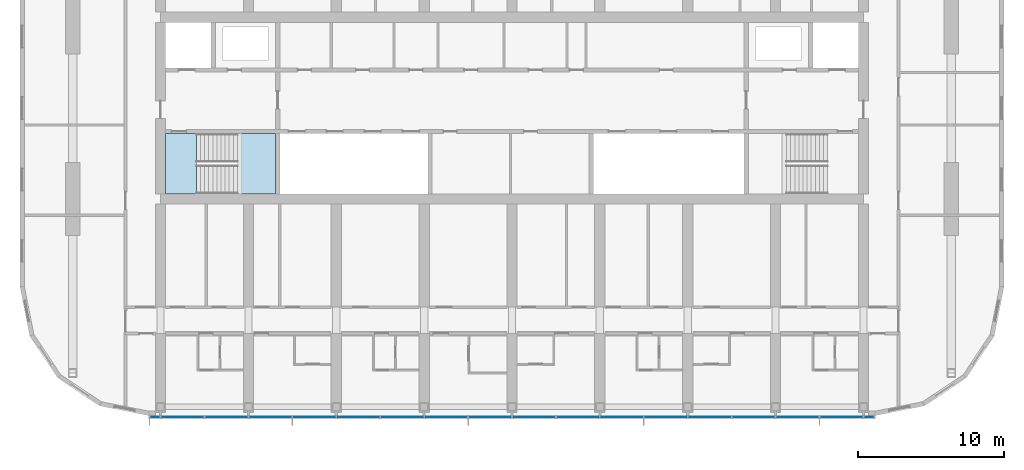
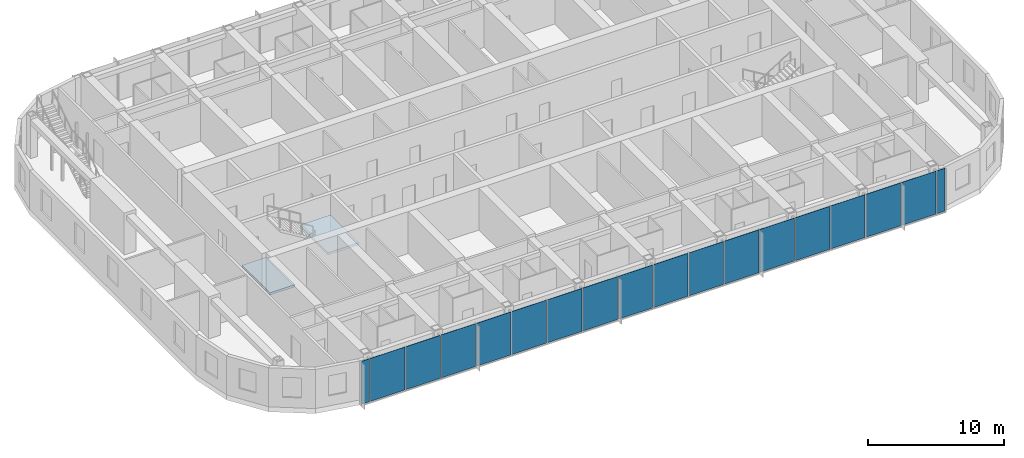
# One storey, part 9 of 26: 18 plates, 2 slabs, 2 elements without a shape of their own.
"""IFC4 building model written with IfcOpenShell, lengths in metres."""

from ifc_helpers import new_model, si_unit, direction, frame, origin, origin_2d, place, context, subcontext, project, spatial, polyline, rectangle, outline, extrude, material, layer, layer_set, type_object, element, aggregate, save


model = new_model("IFC4")

# Units and contexts
model_context = context("Model", 3, precision=1e-05, world=origin(), true_north=direction((0.0, 1.0)))
body_context = subcontext(model_context, "Body", "Model", "MODEL_VIEW")
ifc_project = project(units=[si_unit("LENGTHUNIT", "METRE"), si_unit("AREAUNIT", "SQUARE_METRE"), si_unit("VOLUMEUNIT", "CUBIC_METRE"), si_unit("PLANEANGLEUNIT", "RADIAN"), si_unit("MASSUNIT", "GRAM", prefix="KILO")], contexts=[model_context])

# Site, building, storey
site_placement = place(None, origin())
site = spatial("IfcSite", under=ifc_project, at=site_placement, CompositionType="ELEMENT")
building_placement = place(site_placement, origin())
building = spatial("IfcBuilding", under=site, at=building_placement, Name="Orbita Commons", CompositionType="ELEMENT")
storey_placement = place(building_placement, frame((0.0, 0.0, 231.550048828125)))
storey = spatial("IfcBuildingStorey", under=building, at=storey_placement, Name="L57", CompositionType="ELEMENT", Elevation=231.550048828125)

# Curtain wall, plates
ifc_material_1 = material(Name="Anodised aluminium frame, pale silver", Category="aluminium")
curtain_wall_type = type_object("IfcCurtainWallType", Name="Unitised curtain wall CW-U, full-height vision", PredefinedType="NOTDEFINED", material=ifc_material_1)
curtain_wall_placement = place(storey_placement, origin())
curtain_wall = element("IfcCurtainWall", 1, at=curtain_wall_placement, inside=storey, type_object=curtain_wall_type, Name="Curtain wall south L57", PredefinedType="NOTDEFINED")
ifc_material_2 = material(Name="Clear double glazing", Category="glass")
ifc_layer_1 = layer(ifc_material_2, 0.031982421875)
ifc_layer_set_1 = layer_set([ifc_layer_1], Name="Clear double glazing")
plate_type = type_object("IfcPlateType", Name="Full-height vision panel, clear glazing 32", PredefinedType="CURTAIN_PANEL", material=ifc_layer_set_1)
plate_1_placement = place(storey_placement, frame((17.6201171875, 10.889892578125, -0.35009765625), z_axis=(0.0, 0.0, 1.0), x_axis=(1.0, 0.0, 0.0)))
plate_1 = element("IfcPlate", 2, at=plate_1_placement, type_object=plate_type, Name="Panel 1.1 CW-L57-S", PredefinedType="CURTAIN_PANEL", context=body_context, shape_type="SweptSolid", body=[
    extrude(rectangle(XDim=0.679931640625, YDim=0.031982421875, at=origin_2d()), origin(), (0.0, 0.0, 1.0), 3.85009765625),
])
plate_2_placement = place(storey_placement, frame((19.5, 10.889892578125, -0.35009765625), z_axis=(0.0, 0.0, 1.0), x_axis=(1.0, 0.0, 0.0)))
plate_2 = element("IfcPlate", 3, at=plate_2_placement, type_object=plate_type, Name="Panel 2.1 CW-L57-S", PredefinedType="CURTAIN_PANEL", context=body_context, shape_type="SweptSolid", body=[
    extrude(rectangle(XDim=2.919921875, YDim=0.031982421875, at=origin_2d()), origin(), (0.0, 0.0, 1.0), 3.85009765625),
])
plate_3_placement = place(storey_placement, frame((22.5, 10.889892578125, -0.35009765625), z_axis=(0.0, 0.0, 1.0), x_axis=(1.0, 0.0, 0.0)))
plate_3 = element("IfcPlate", 4, at=plate_3_placement, type_object=plate_type, Name="Panel 3.1 CW-L57-S", PredefinedType="CURTAIN_PANEL", context=body_context, shape_type="SweptSolid", body=[
    extrude(rectangle(XDim=2.919921875, YDim=0.031982421875, at=origin_2d()), origin(), (0.0, 0.0, 1.0), 3.85009765625),
])
plate_4_placement = place(storey_placement, frame((25.5, 10.889892578125, -0.35009765625), z_axis=(0.0, 0.0, 1.0), x_axis=(1.0, 0.0, 0.0)))
plate_4 = element("IfcPlate", 5, at=plate_4_placement, type_object=plate_type, Name="Panel 4.1 CW-L57-S", PredefinedType="CURTAIN_PANEL", context=body_context, shape_type="SweptSolid", body=[
    extrude(rectangle(XDim=2.919921875, YDim=0.031982421875, at=origin_2d()), origin(), (0.0, 0.0, 1.0), 3.85009765625),
])
plate_5_placement = place(storey_placement, frame((28.5, 10.889892578125, -0.35009765625), z_axis=(0.0, 0.0, 1.0), x_axis=(1.0, 0.0, 0.0)))
plate_5 = element("IfcPlate", 6, at=plate_5_placement, type_object=plate_type, Name="Panel 5.1 CW-L57-S", PredefinedType="CURTAIN_PANEL", context=body_context, shape_type="SweptSolid", body=[
    extrude(rectangle(XDim=2.919921875, YDim=0.031982421875, at=origin_2d()), origin(), (0.0, 0.0, 1.0), 3.85009765625),
])
plate_6_placement = place(storey_placement, frame((31.5, 10.889892578125, -0.35009765625), z_axis=(0.0, 0.0, 1.0), x_axis=(1.0, 0.0, 0.0)))
plate_6 = element("IfcPlate", 7, at=plate_6_placement, type_object=plate_type, Name="Panel 6.1 CW-L57-S", PredefinedType="CURTAIN_PANEL", context=body_context, shape_type="SweptSolid", body=[
    extrude(rectangle(XDim=2.919921875, YDim=0.031982421875, at=origin_2d()), origin(), (0.0, 0.0, 1.0), 3.85009765625),
])
plate_7_placement = place(storey_placement, frame((34.5, 10.889892578125, -0.35009765625), z_axis=(0.0, 0.0, 1.0), x_axis=(1.0, 0.0, 0.0)))
plate_7 = element("IfcPlate", 8, at=plate_7_placement, type_object=plate_type, Name="Panel 7.1 CW-L57-S", PredefinedType="CURTAIN_PANEL", context=body_context, shape_type="SweptSolid", body=[
    extrude(rectangle(XDim=2.919921875, YDim=0.031982421875, at=origin_2d()), origin(), (0.0, 0.0, 1.0), 3.85009765625),
])
plate_8_placement = place(storey_placement, frame((37.5, 10.889892578125, -0.35009765625), z_axis=(0.0, 0.0, 1.0), x_axis=(1.0, 0.0, 0.0)))
plate_8 = element("IfcPlate", 9, at=plate_8_placement, type_object=plate_type, Name="Panel 8.1 CW-L57-S", PredefinedType="CURTAIN_PANEL", context=body_context, shape_type="SweptSolid", body=[
    extrude(rectangle(XDim=2.919921875, YDim=0.031982421875, at=origin_2d()), origin(), (0.0, 0.0, 1.0), 3.85009765625),
])
plate_9_placement = place(storey_placement, frame((40.5, 10.889892578125, -0.35009765625), z_axis=(0.0, 0.0, 1.0), x_axis=(1.0, 0.0, 0.0)))
plate_9 = element("IfcPlate", 10, at=plate_9_placement, type_object=plate_type, Name="Panel 9.1 CW-L57-S", PredefinedType="CURTAIN_PANEL", context=body_context, shape_type="SweptSolid", body=[
    extrude(rectangle(XDim=2.919921875, YDim=0.031982421875, at=origin_2d()), origin(), (0.0, 0.0, 1.0), 3.85009765625),
])
plate_10_placement = place(storey_placement, frame((43.5, 10.889892578125, -0.35009765625), z_axis=(0.0, 0.0, 1.0), x_axis=(1.0, 0.0, 0.0)))
plate_10 = element("IfcPlate", 11, at=plate_10_placement, type_object=plate_type, Name="Panel 10.1 CW-L57-S", PredefinedType="CURTAIN_PANEL", context=body_context, shape_type="SweptSolid", body=[
    extrude(rectangle(XDim=2.919921875, YDim=0.031982421875, at=origin_2d()), origin(), (0.0, 0.0, 1.0), 3.85009765625),
])
plate_11_placement = place(storey_placement, frame((46.5, 10.889892578125, -0.35009765625), z_axis=(0.0, 0.0, 1.0), x_axis=(1.0, 0.0, 0.0)))
plate_11 = element("IfcPlate", 12, at=plate_11_placement, type_object=plate_type, Name="Panel 11.1 CW-L57-S", PredefinedType="CURTAIN_PANEL", context=body_context, shape_type="SweptSolid", body=[
    extrude(rectangle(XDim=2.919921875, YDim=0.031982421875, at=origin_2d()), origin(), (0.0, 0.0, 1.0), 3.85009765625),
])
plate_12_placement = place(storey_placement, frame((49.5, 10.889892578125, -0.35009765625), z_axis=(0.0, 0.0, 1.0), x_axis=(1.0, 0.0, 0.0)))
plate_12 = element("IfcPlate", 13, at=plate_12_placement, type_object=plate_type, Name="Panel 12.1 CW-L57-S", PredefinedType="CURTAIN_PANEL", context=body_context, shape_type="SweptSolid", body=[
    extrude(rectangle(XDim=2.919921875, YDim=0.031982421875, at=origin_2d()), origin(), (0.0, 0.0, 1.0), 3.85009765625),
])
plate_13_placement = place(storey_placement, frame((52.5, 10.889892578125, -0.35009765625), z_axis=(0.0, 0.0, 1.0), x_axis=(1.0, 0.0, 0.0)))
plate_13 = element("IfcPlate", 14, at=plate_13_placement, type_object=plate_type, Name="Panel 13.1 CW-L57-S", PredefinedType="CURTAIN_PANEL", context=body_context, shape_type="SweptSolid", body=[
    extrude(rectangle(XDim=2.919921875, YDim=0.031982421875, at=origin_2d()), origin(), (0.0, 0.0, 1.0), 3.85009765625),
])
plate_14_placement = place(storey_placement, frame((55.5, 10.889892578125, -0.35009765625), z_axis=(0.0, 0.0, 1.0), x_axis=(1.0, 0.0, 0.0)))
plate_14 = element("IfcPlate", 15, at=plate_14_placement, type_object=plate_type, Name="Panel 14.1 CW-L57-S", PredefinedType="CURTAIN_PANEL", context=body_context, shape_type="SweptSolid", body=[
    extrude(rectangle(XDim=2.919921875, YDim=0.031982421875, at=origin_2d()), origin(), (0.0, 0.0, 1.0), 3.85009765625),
])
plate_15_placement = place(storey_placement, frame((58.5, 10.889892578125, -0.35009765625), z_axis=(0.0, 0.0, 1.0), x_axis=(1.0, 0.0, 0.0)))
plate_15 = element("IfcPlate", 16, at=plate_15_placement, type_object=plate_type, Name="Panel 15.1 CW-L57-S", PredefinedType="CURTAIN_PANEL", context=body_context, shape_type="SweptSolid", body=[
    extrude(rectangle(XDim=2.919921875, YDim=0.031982421875, at=origin_2d()), origin(), (0.0, 0.0, 1.0), 3.85009765625),
])
plate_16_placement = place(storey_placement, frame((61.5, 10.889892578125, -0.35009765625), z_axis=(0.0, 0.0, 1.0), x_axis=(1.0, 0.0, 0.0)))
plate_16 = element("IfcPlate", 17, at=plate_16_placement, type_object=plate_type, Name="Panel 16.1 CW-L57-S", PredefinedType="CURTAIN_PANEL", context=body_context, shape_type="SweptSolid", body=[
    extrude(rectangle(XDim=2.919921875, YDim=0.031982421875, at=origin_2d()), origin(), (0.0, 0.0, 1.0), 3.85009765625),
])
plate_17_placement = place(storey_placement, frame((64.5, 10.889892578125, -0.35009765625), z_axis=(0.0, 0.0, 1.0), x_axis=(1.0, 0.0, 0.0)))
plate_17 = element("IfcPlate", 18, at=plate_17_placement, type_object=plate_type, Name="Panel 17.1 CW-L57-S", PredefinedType="CURTAIN_PANEL", context=body_context, shape_type="SweptSolid", body=[
    extrude(rectangle(XDim=2.919921875, YDim=0.031982421875, at=origin_2d()), origin(), (0.0, 0.0, 1.0), 3.85009765625),
])
plate_18_placement = place(storey_placement, frame((66.3798828125, 10.889892578125, -0.35009765625), z_axis=(0.0, 0.0, 1.0), x_axis=(1.0, 0.0, 0.0)))
plate_18 = element("IfcPlate", 19, at=plate_18_placement, type_object=plate_type, Name="Panel 18.1 CW-L57-S", PredefinedType="CURTAIN_PANEL", context=body_context, shape_type="SweptSolid", body=[
    extrude(rectangle(XDim=0.679931640625, YDim=0.031982421875, at=origin_2d()), origin(), (0.0, 0.0, 1.0), 3.85009765625),
])
aggregate(curtain_wall, [plate_1, plate_2, plate_3, plate_4, plate_5, plate_6, plate_7, plate_8, plate_9, plate_10, plate_11, plate_12, plate_13, plate_14, plate_15, plate_16, plate_17, plate_18])

# Stair, slabs
ifc_material_3 = material(Name="Precast concrete C40/50", Category="concrete")
stair_type = type_object("IfcStairType", Name="Exit stair S1 2 flights 11 risers 170", PredefinedType="HALF_TURN_STAIR", material=ifc_material_3)
stair_placement = place(storey_placement, origin())
stair = element("IfcStair", 20, at=stair_placement, inside=storey, type_object=stair_type, Name="Exit stair S1 L57", PredefinedType="HALF_TURN_STAIR")
ifc_material_4 = material(Name="Concrete C40/50", Category="concrete")
ifc_layer_2 = layer(ifc_material_4, 0.199951171875)
ifc_layer_set_2 = layer_set([ifc_layer_2], Name="Concrete C40/50")
slab_type = type_object("IfcSlabType", Name="Stair landing 200", PredefinedType="LANDING", material=ifc_layer_set_2)
slab_1_placement = place(storey_placement, frame((0.0, 0.0, -0.199951171875)))
slab_1 = element("IfcSlab", 21, at=slab_1_placement, type_object=slab_type, Name="S1 landing 1", PredefinedType="LANDING", context=body_context, shape_type="SweptSolid", body=[
    extrude(outline(polyline([(18.35009765625, 26.14990234375), (20.449951171875, 26.14990234375), (20.449951171875, 30.25), (18.35009765625, 30.25), (18.35009765625, 26.14990234375)])), origin(), (0.0, 0.0, 1.0), 0.199951171875),
])
slab_2_placement = place(storey_placement, frame((0.0, 0.0, 1.675048828125)))
slab_2 = element("IfcSlab", 22, at=slab_2_placement, type_object=slab_type, Name="S1 landing 2", PredefinedType="LANDING", context=body_context, shape_type="SweptSolid", body=[
    extrude(outline(polyline([(23.25, 26.135009765625), (25.864990234375, 26.135009765625), (25.864990234375, 30.264892578125), (23.25, 30.264892578125), (23.25, 26.135009765625)])), origin(), (0.0, 0.0, 1.0), 0.199951171875),
])
aggregate(stair, [slab_1, slab_2])

save(model, "model.ifc")
